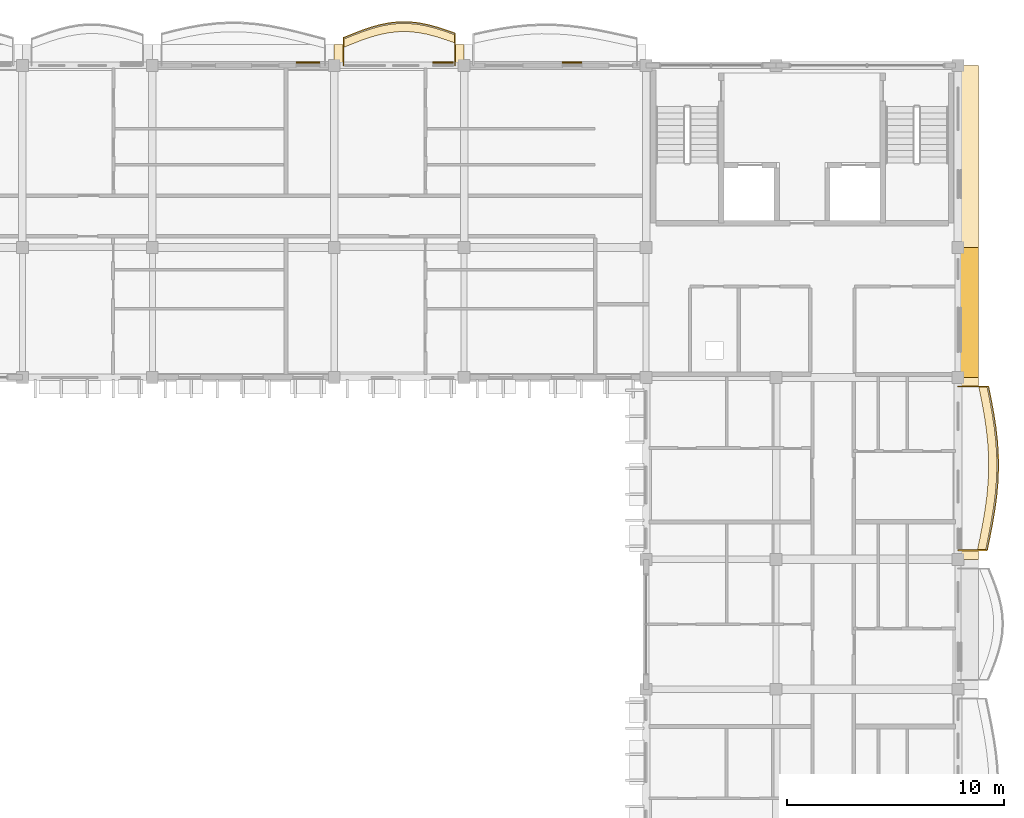
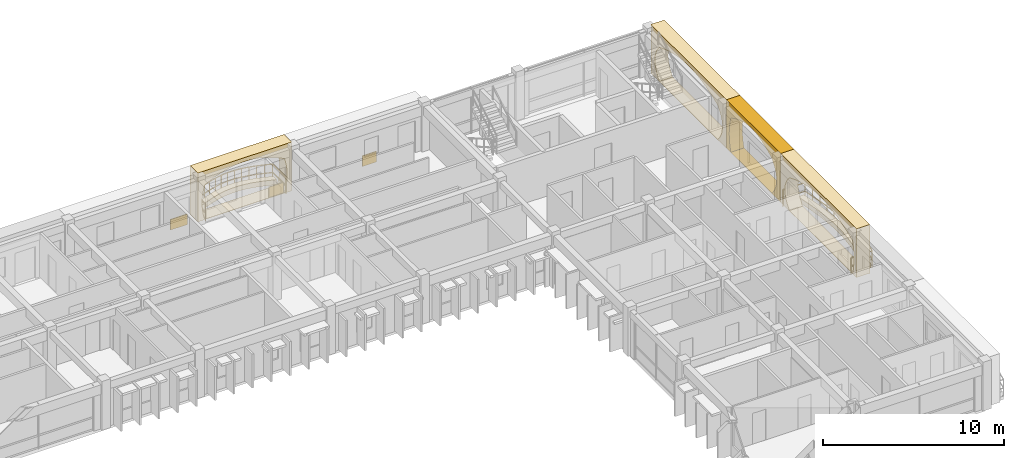
# One storey, part 30 of 31: 9 coverings, 2 railings.
"""IFC4 building model written with IfcOpenShell, lengths in metres."""

from ifc_helpers import new_model, si_unit, direction, frame, origin, origin_2d, place, context, subcontext, project, spatial, polyline, rectangle, outline, extrude, material, layer, layer_set, type_object, element, save


model = new_model("IFC4")

# Units and contexts
model_context = context("Model", 3, precision=1e-05, world=origin(), true_north=direction((0.0, 1.0)))
body_context = subcontext(model_context, "Body", "Model", "MODEL_VIEW")
ifc_project = project(units=[si_unit("LENGTHUNIT", "METRE"), si_unit("AREAUNIT", "SQUARE_METRE"), si_unit("VOLUMEUNIT", "CUBIC_METRE"), si_unit("PLANEANGLEUNIT", "RADIAN"), si_unit("MASSUNIT", "GRAM", prefix="KILO"), si_unit("THERMODYNAMICTEMPERATUREUNIT", "KELVIN")], contexts=[model_context])

# Site, building, storey
site_placement = place(None, origin())
site = spatial("IfcSite", under=ifc_project, at=site_placement, CompositionType="ELEMENT")
building_placement = place(site_placement, origin())
building = spatial("IfcBuilding", under=site, at=building_placement, Name="Thalorik Housing Commons", CompositionType="ELEMENT")
storey_placement = place(building_placement, frame((0.0, 0.0, 37.800048828125)))
storey = spatial("IfcBuildingStorey", under=building, at=storey_placement, Name="L11", CompositionType="ELEMENT", Elevation=37.800048828125)

# Coverings
ifc_material_1 = material(Name="Cobalt blue glazed ceramic facade tile panel", Category="masonry")
ifc_layer_1 = layer(ifc_material_1, 0.06005859375, Name="Cobalt blue glazed ceramic facade tile panel", Category="masonry")
ifc_layer_set_1 = layer_set([ifc_layer_1], Name="Cobalt blue glazed ceramic facade tile panel")
covering_type_1 = type_object("IfcCoveringType", Name="ARC-CLD-BLU-60", PredefinedType="CLADDING", material=ifc_layer_set_1)
covering_1_placement = place(storey_placement, frame((136.7900390625, 123.742431640625, 0.0498046875), z_axis=(0.0, 0.0, 1.0), x_axis=(-1.0, 0.0, 0.0)))
element("IfcCovering", 1, at=covering_1_placement, inside=storey, type_object=covering_type_1, Name="L11 De Stijl Recessed Window Spandrel 3175", PredefinedType="CLADDING", context=body_context, shape_type="SweptSolid", body=[
    extrude(rectangle(XDim=1.10009765625, YDim=0.06005859375, at=origin_2d()), origin(), (0.0, 0.0, 1.0), 0.699951171875),
])
ifc_material_2 = material(Name="Precast concrete C40/50", Category="concrete")
ifc_layer_2 = layer(ifc_material_2, 0.85009765625, Name="Precast concrete C40/50", Category="concrete")
ifc_layer_set_2 = layer_set([ifc_layer_2], Name="Precast concrete C40/50")
covering_type_2 = type_object("IfcCoveringType", Name="ARC-CLD-CUSH-850", PredefinedType="CLADDING", material=ifc_layer_set_2)
covering_2_placement = place(storey_placement, frame((167.33251953125, 112.199951171875, 0.0), z_axis=(0.0, 0.0, 1.0), x_axis=(0.0, 1.0, 0.0)))
element("IfcCovering", 2, at=covering_2_placement, inside=storey, type_object=covering_type_2, Name="L11 White Precast Curved Cushion Bay Frame 3166", PredefinedType="CLADDING", context=body_context, shape_type="SweptSolid", body=[
    extrude(outline(polyline([(-3.0, 0.0), (3.0, 0.0), (3.0, 3.300048828125), (-3.0, 3.300048828125), (-3.0, 0.0)]), holes=[polyline([(2.530029296875, 0.02490234375), (2.629150390625, 0.410888671875), (2.688720703125, 0.796630859375), (2.70849609375, 1.1826171875), (2.688720703125, 1.568359375), (2.629150390625, 1.9541015625), (2.530029296875, 2.340087890625), (2.149169921875, 2.552978515625), (1.768310546875, 2.720458984375), (1.387451171875, 2.85595703125), (1.006591796875, 2.956787109375), (0.625732421875, 3.01904296875), (0.2451171875, 3.0400390625), (-0.1357421875, 3.01904296875), (-0.5166015625, 2.956787109375), (-0.8974609375, 2.85595703125), (-1.2783203125, 2.720458984375), (-1.6591796875, 2.552978515625), (-2.0400390625, 2.340087890625), (-2.3232421875, 1.9541015625), (-2.493408203125, 1.568359375), (-2.550048828125, 1.1826171875), (-2.493408203125, 0.796630859375), (-2.3232421875, 0.410888671875), (-2.0400390625, 0.02490234375), (2.530029296875, 0.02490234375)])]), frame((0.0, 0.425048828125, 0.0), z_axis=(0.0, -1.0, 0.0), x_axis=(1.0, 0.0, 0.0)), (0.0, 0.0, 1.0), 0.85009765625),
])
covering_3_placement = place(storey_placement, frame((167.33251953125, 119.39990234375, 0.0), z_axis=(0.0, 0.0, 1.0), x_axis=(0.0, 1.0, 0.0)))
element("IfcCovering", 3, at=covering_3_placement, inside=storey, type_object=covering_type_2, Name="L11 White Precast Curved Cushion Bay Frame 3168", PredefinedType="CLADDING", context=body_context, shape_type="SweptSolid", body=[
    extrude(outline(polyline([(-4.199951171875, 0.0), (4.199951171875, 0.0), (4.199951171875, 3.300048828125), (-4.199951171875, 3.300048828125), (-4.199951171875, 0.0)]), holes=[polyline([(3.25390625, 0.02490234375), (3.529541015625, 0.407470703125), (3.69482421875, 0.7900390625), (3.75, 1.172607421875), (3.69482421875, 1.554931640625), (3.529541015625, 1.9375), (3.25390625, 2.320068359375), (2.712646484375, 2.539306640625), (2.17138671875, 2.711181640625), (1.63037109375, 2.8505859375), (1.089111328125, 2.954345703125), (0.548095703125, 3.018310546875), (0.0068359375, 3.0400390625), (-0.5341796875, 3.018310546875), (-1.075439453125, 2.954345703125), (-1.61669921875, 2.8505859375), (-2.15771484375, 2.711181640625), (-2.698974609375, 2.539306640625), (-3.239990234375, 2.320068359375), (-3.523193359375, 1.9375), (-3.693359375, 1.554931640625), (-3.75, 1.172607421875), (-3.693359375, 0.7900390625), (-3.523193359375, 0.407470703125), (-3.239990234375, 0.02490234375), (3.25390625, 0.02490234375)])]), frame((0.0, 0.425048828125, 0.0), z_axis=(0.0, -1.0, 0.0), x_axis=(1.0, 0.0, 0.0)), (0.0, 0.0, 1.0), 0.85009765625),
])
covering_4_placement = place(storey_placement, frame((141.0, 124.132568359375, 0.0), z_axis=(0.0, 0.0, 1.0), x_axis=(-1.0, 0.0, 0.0)))
element("IfcCovering", 4, at=covering_4_placement, inside=storey, type_object=covering_type_2, Name="L11 White Precast Curved Cushion Bay Frame 3172", PredefinedType="CLADDING", context=body_context, shape_type="SweptSolid", body=[
    extrude(outline(polyline([(-3.0, 0.0), (3.0, 0.0), (3.0, 3.300048828125), (-3.0, 3.300048828125), (-3.0, 0.0)]), holes=[polyline([(2.57275390625, 0.02490234375), (2.6630859375, 0.410888671875), (2.717041015625, 0.796630859375), (2.735107421875, 1.1826171875), (2.717041015625, 1.568359375), (2.6630859375, 1.9541015625), (2.57275390625, 2.340087890625), (2.146484375, 2.552978515625), (1.72021484375, 2.720458984375), (1.2939453125, 2.85595703125), (0.867919921875, 2.956787109375), (0.44140625, 3.01904296875), (0.015380859375, 3.0400390625), (-0.410888671875, 3.01904296875), (-0.837158203125, 2.956787109375), (-1.263427734375, 2.85595703125), (-1.689697265625, 2.720458984375), (-2.115966796875, 2.552978515625), (-2.542236328125, 2.340087890625), (-2.638916015625, 1.9541015625), (-2.69677734375, 1.568359375), (-2.71630859375, 1.1826171875), (-2.69677734375, 0.796630859375), (-2.638916015625, 0.410888671875), (-2.542236328125, 0.02490234375), (2.57275390625, 0.02490234375)])]), frame((0.0, 0.425048828125, 0.0), z_axis=(0.0, -1.0, 0.0), x_axis=(1.0, 0.0, 0.0)), (0.0, 0.0, 1.0), 0.85009765625),
])
covering_5_placement = place(storey_placement, frame((167.33251953125, 105.0, 0.0), z_axis=(0.0, 0.0, 1.0), x_axis=(0.0, 1.0, 0.0)))
element("IfcCovering", 5, at=covering_5_placement, inside=storey, type_object=covering_type_2, Name="L11 White Precast Curved Cushion Bay Frame 3264", PredefinedType="CLADDING", context=body_context, shape_type="SweptSolid", body=[
    extrude(outline(polyline([(-4.199951171875, 0.0), (4.199951171875, 0.0), (4.199951171875, 3.300048828125), (-4.199951171875, 3.300048828125), (-4.199951171875, 0.0)]), holes=[polyline([(3.239990234375, 0.02490234375), (3.523193359375, 0.394287109375), (3.693359375, 0.76318359375), (3.75, 1.132568359375), (3.693359375, 1.501708984375), (3.523193359375, 1.870849609375), (3.239990234375, 2.239990234375), (2.65625, 2.4833984375), (2.072509765625, 2.6748046875), (1.48876953125, 2.82958984375), (0.905029296875, 2.94482421875), (0.3212890625, 3.01611328125), (-0.262451171875, 3.0400390625), (-0.84619140625, 3.01611328125), (-1.429931640625, 2.94482421875), (-2.013671875, 2.82958984375), (-2.597412109375, 2.6748046875), (-3.181396484375, 2.4833984375), (-3.764892578125, 2.239990234375), (-3.856689453125, 1.870849609375), (-3.911865234375, 1.501708984375), (-3.930419921875, 1.132568359375), (-3.911865234375, 0.76318359375), (-3.856689453125, 0.394287109375), (-3.764892578125, 0.02490234375), (3.239990234375, 0.02490234375)])]), frame((0.0, 0.425048828125, 0.0), z_axis=(0.0, -1.0, 0.0), x_axis=(1.0, 0.0, 0.0)), (0.0, 0.0, 1.0), 0.85009765625),
])
ifc_material_3 = material(Name="Terracotta red mineral fibre-cement panel", Category="masonry")
ifc_layer_3 = layer(ifc_material_3, 0.054931640625, Name="Terracotta red mineral fibre-cement panel", Category="masonry")
ifc_layer_set_3 = layer_set([ifc_layer_3], Name="Terracotta red mineral fibre-cement panel")
covering_type_3 = type_object("IfcCoveringType", Name="ARC-CLD-RED-55", PredefinedType="CLADDING", material=ifc_layer_set_3)
covering_6_placement = place(storey_placement, frame((143.01708984375, 123.739990234375, 0.0498046875), z_axis=(0.0, 0.0, 1.0), x_axis=(-1.0, 0.0, 0.0)))
element("IfcCovering", 6, at=covering_6_placement, inside=storey, type_object=covering_type_3, Name="L11 De Stijl Recessed Window Spandrel 3173", PredefinedType="CLADDING", context=body_context, shape_type="SweptSolid", body=[
    extrude(rectangle(XDim=0.949951171875, YDim=0.054931640625, at=origin_2d()), origin(), (0.0, 0.0, 1.0), 0.699951171875),
])
ifc_material_4 = material(Name="Mineral ochre architectural terracotta panel", Category="masonry")
ifc_layer_4 = layer(ifc_material_4, 0.06494140625, Name="Mineral ochre architectural terracotta panel", Category="masonry")
ifc_layer_set_4 = layer_set([ifc_layer_4], Name="Mineral ochre architectural terracotta panel")
covering_type_4 = type_object("IfcCoveringType", Name="ARC-CLD-YEL-65", PredefinedType="CLADDING", material=ifc_layer_set_4)
covering_7_placement = place(storey_placement, frame((148.985107421875, 123.7451171875, 0.0498046875), z_axis=(0.0, 0.0, 1.0), x_axis=(-1.0, 0.0, 0.0)))
element("IfcCovering", 7, at=covering_7_placement, inside=storey, type_object=covering_type_4, Name="L11 De Stijl Recessed Window Spandrel 3171", PredefinedType="CLADDING", context=body_context, shape_type="SweptSolid", body=[
    extrude(rectangle(XDim=0.89990234375, YDim=0.06494140625, at=origin_2d()), origin(), (0.0, 0.0, 1.0), 0.699951171875),
])
ifc_material_5 = material(Name="Planted vegetated substrate and terracotta trough", Category="masonry")
ifc_layer_5 = layer(ifc_material_5, 0.340087890625, Name="Planted vegetated substrate and terracotta trough", Category="masonry")
ifc_layer_set_5 = layer_set([ifc_layer_5], Name="Planted vegetated substrate and terracotta trough")
covering_type_5 = type_object("IfcCoveringType", Name="ARC-COV-PLANTER", PredefinedType="USERDEFINED", material=ifc_layer_set_5)
covering_8_placement = place(storey_placement, origin())
element("IfcCovering", 8, at=covering_8_placement, inside=storey, type_object=covering_type_5, Name="L11 Balcony Slab-Edge Planted Trough 5553", ObjectType="PLANTER", PredefinedType="USERDEFINED", context=body_context, shape_type="SweptSolid", body=[
    extrude(outline(polyline([(143.580078125, 125.01611328125), (143.14990234375, 125.168212890625), (142.719970703125, 125.305908203125), (142.2900390625, 125.419189453125), (141.860107421875, 125.499755859375), (141.429931640625, 125.541748046875), (141.0, 125.541748046875), (140.570068359375, 125.4990234375), (140.139892578125, 125.41552734375), (139.7099609375, 125.29638671875), (139.280029296875, 125.149169921875), (138.85009765625, 124.98291015625), (138.419921875, 124.80859375), (138.419921875, 124.428466796875), (138.85009765625, 124.602783203125), (139.280029296875, 124.76904296875), (139.7099609375, 124.91650390625), (140.139892578125, 125.035400390625), (140.570068359375, 125.118896484375), (141.0, 125.161865234375), (141.429931640625, 125.161865234375), (141.860107421875, 125.119873046875), (142.2900390625, 125.0390625), (142.719970703125, 124.92578125), (143.14990234375, 124.788330078125), (143.580078125, 124.635986328125), (143.580078125, 125.01611328125)])), origin(), (0.0, 0.0, 1.0), 0.33984375),
])
covering_9_placement = place(storey_placement, origin())
element("IfcCovering", 9, at=covering_9_placement, inside=storey, type_object=covering_type_5, Name="L11 Balcony Slab-Edge Planted Trough 5557", ObjectType="PLANTER", PredefinedType="USERDEFINED", context=body_context, shape_type="SweptSolid", body=[
    extrude(outline(polyline([(168.077392578125, 101.219970703125), (168.204833984375, 101.85009765625), (168.325439453125, 102.47998046875), (168.43115234375, 103.110107421875), (168.514892578125, 103.739990234375), (168.5712890625, 104.3701171875), (168.59619140625, 105.0), (168.587890625, 105.6298828125), (168.547119140625, 106.260009765625), (168.476318359375, 106.889892578125), (168.38037109375, 107.52001953125), (168.26513671875, 108.14990234375), (168.138671875, 108.780029296875), (167.7587890625, 108.780029296875), (167.88525390625, 108.14990234375), (168.000244140625, 107.52001953125), (168.09619140625, 106.889892578125), (168.1669921875, 106.260009765625), (168.2080078125, 105.6298828125), (168.216064453125, 105.0), (168.191162109375, 104.3701171875), (168.135009765625, 103.739990234375), (168.051025390625, 103.110107421875), (167.9453125, 102.47998046875), (167.82470703125, 101.85009765625), (167.697265625, 101.219970703125), (168.077392578125, 101.219970703125)])), origin(), (0.0, 0.0, 1.0), 0.33984375),
])

# Railings
ifc_material_6 = material(Name="Steel S355", Category="steel")
railing_type = type_object("IfcRailingType", Name="ARC-RL-BAL-115", PredefinedType="BALUSTRADE", material=ifc_material_6)
railing_1_placement = place(storey_placement, frame((143.580078125, 123.60009765625, 0.0)))
element("IfcRailing", 10, at=railing_1_placement, inside=storey, type_object=railing_type, Name="L11 Cushion Balcony Guardrail 237", PredefinedType="BALUSTRADE", context=body_context, shape_type="SweptSolid", body=[
    extrude(rectangle(XDim=0.050048828125, YDim=0.050048828125, at=origin_2d()), frame((0.0, 0.0, 1.125), z_axis=(0.0, 1.0, 0.0), x_axis=(-1.0, 0.0, 0.0)), (0.0, 0.0, 1.0), 1.48583984375),
    extrude(rectangle(XDim=0.050048828125, YDim=0.050048828125, at=origin_2d()), frame((0.0, 0.0, 0.5498046875), z_axis=(0.0, 1.0, 0.0), x_axis=(-1.0, 0.0, 0.0)), (0.0, 0.0, 1.0), 1.48583984375),
    extrude(rectangle(XDim=0.050048828125, YDim=0.050048828125, at=origin_2d()), frame((0.0, 1.48583984375, 1.125), z_axis=(-0.942634239727, 0.333827335749, 0.0), x_axis=(-0.333827335749, -0.942634239727, 0.0)), (0.0, 0.0, 1.0), 0.456298828125),
    extrude(rectangle(XDim=0.050048828125, YDim=0.050048828125, at=origin_2d()), frame((0.0, 1.48583984375, 0.5498046875), z_axis=(-0.942634239727, 0.333827335749, 0.0), x_axis=(-0.333827335749, -0.942634239727, 0.0)), (0.0, 0.0, 1.0), 0.456298828125),
    extrude(rectangle(XDim=0.050048828125, YDim=0.050048828125, at=origin_2d()), frame((-0.43017578125, 1.63818359375, 1.125), z_axis=(-0.95234876715, 0.305011189479, 0.0), x_axis=(-0.305011189479, -0.95234876715, 0.0)), (0.0, 0.0, 1.0), 0.451416015625),
    extrude(rectangle(XDim=0.050048828125, YDim=0.050048828125, at=origin_2d()), frame((-0.43017578125, 1.63818359375, 0.5498046875), z_axis=(-0.95234876715, 0.305011189479, 0.0), x_axis=(-0.305011189479, -0.95234876715, 0.0)), (0.0, 0.0, 1.0), 0.451416015625),
    extrude(rectangle(XDim=0.050048828125, YDim=0.050048828125, at=origin_2d()), frame((-0.860107421875, 1.77587890625, 1.125), z_axis=(-0.967131424423, 0.254277029817, 0.0), x_axis=(-0.254277029817, -0.967131424423, 0.0)), (0.0, 0.0, 1.0), 0.444580078125),
    extrude(rectangle(XDim=0.050048828125, YDim=0.050048828125, at=origin_2d()), frame((-0.860107421875, 1.77587890625, 0.5498046875), z_axis=(-0.967131424423, 0.254277029817, 0.0), x_axis=(-0.254277029817, -0.967131424423, 0.0)), (0.0, 0.0, 1.0), 0.444580078125),
    extrude(rectangle(XDim=0.050048828125, YDim=0.050048828125, at=origin_2d()), frame((-1.2900390625, 1.888916015625, 1.125), z_axis=(-0.982789955867, 0.184726561835, 0.0), x_axis=(-0.184726561835, -0.982789955867, 0.0)), (0.0, 0.0, 1.0), 0.4375),
    extrude(rectangle(XDim=0.050048828125, YDim=0.050048828125, at=origin_2d()), frame((-1.2900390625, 1.888916015625, 0.5498046875), z_axis=(-0.982789955867, 0.184726561835, 0.0), x_axis=(-0.184726561835, -0.982789955867, 0.0)), (0.0, 0.0, 1.0), 0.4375),
    extrude(rectangle(XDim=0.050048828125, YDim=0.050048828125, at=origin_2d()), frame((-1.719970703125, 1.9697265625, 1.125), z_axis=(-0.995269306776, 0.09715455208, 0.0), x_axis=(-0.09715455208, -0.995269306776, 0.0)), (0.0, 0.0, 1.0), 0.43212890625),
    extrude(rectangle(XDim=0.050048828125, YDim=0.050048828125, at=origin_2d()), frame((-1.719970703125, 1.9697265625, 0.5498046875), z_axis=(-0.995269306776, 0.09715455208, 0.0), x_axis=(-0.09715455208, -0.995269306776, 0.0)), (0.0, 0.0, 1.0), 0.43212890625),
    extrude(rectangle(XDim=0.050048828125, YDim=0.050048828125, at=origin_2d()), frame((-2.150146484375, 2.01171875, 1.125), z_axis=(-1.0, 0.0, 0.0), x_axis=(0.0, -1.0, 0.0)), (0.0, 0.0, 1.0), 0.429931640625),
    extrude(rectangle(XDim=0.050048828125, YDim=0.050048828125, at=origin_2d()), frame((-2.150146484375, 2.01171875, 0.5498046875), z_axis=(-1.0, 0.0, 0.0), x_axis=(0.0, -1.0, 0.0)), (0.0, 0.0, 1.0), 0.429931640625),
    extrude(rectangle(XDim=0.050048828125, YDim=0.050048828125, at=origin_2d()), frame((-2.580078125, 2.01171875, 1.125), z_axis=(-0.995098542801, -0.098888270863, 0.0), x_axis=(0.098888270863, -0.995098542801, 0.0)), (0.0, 0.0, 1.0), 0.43212890625),
    extrude(rectangle(XDim=0.050048828125, YDim=0.050048828125, at=origin_2d()), frame((-2.580078125, 2.01171875, 0.5498046875), z_axis=(-0.995098542801, -0.098888270863, 0.0), x_axis=(0.098888270863, -0.995098542801, 0.0)), (0.0, 0.0, 1.0), 0.43212890625),
    extrude(rectangle(XDim=0.050048828125, YDim=0.050048828125, at=origin_2d()), frame((-3.010009765625, 1.968994140625, 1.125), z_axis=(-0.981679126239, -0.190541578419, 0.0), x_axis=(0.190541578419, -0.981679126239, 0.0)), (0.0, 0.0, 1.0), 0.438232421875),
    extrude(rectangle(XDim=0.050048828125, YDim=0.050048828125, at=origin_2d()), frame((-3.010009765625, 1.968994140625, 0.5498046875), z_axis=(-0.981679126239, -0.190541578419, 0.0), x_axis=(0.190541578419, -0.981679126239, 0.0)), (0.0, 0.0, 1.0), 0.438232421875),
    extrude(rectangle(XDim=0.050048828125, YDim=0.050048828125, at=origin_2d()), frame((-3.440185546875, 1.885498046875, 1.125), z_axis=(-0.963682368492, -0.267051104954, 0.0), x_axis=(0.267051104954, -0.963682368492, 0.0)), (0.0, 0.0, 1.0), 0.446044921875),
    extrude(rectangle(XDim=0.050048828125, YDim=0.050048828125, at=origin_2d()), frame((-3.440185546875, 1.885498046875, 0.5498046875), z_axis=(-0.963682368492, -0.267051104954, 0.0), x_axis=(0.267051104954, -0.963682368492, 0.0)), (0.0, 0.0, 1.0), 0.446044921875),
    extrude(rectangle(XDim=0.050048828125, YDim=0.050048828125, at=origin_2d()), frame((-3.8701171875, 1.766357421875, 1.125), z_axis=(-0.945908272877, -0.324434183315, 0.0), x_axis=(0.324434183315, -0.945908272877, 0.0)), (0.0, 0.0, 1.0), 0.45458984375),
    extrude(rectangle(XDim=0.050048828125, YDim=0.050048828125, at=origin_2d()), frame((-3.8701171875, 1.766357421875, 0.5498046875), z_axis=(-0.945908272877, -0.324434183315, 0.0), x_axis=(0.324434183315, -0.945908272877, 0.0)), (0.0, 0.0, 1.0), 0.45458984375),
    extrude(rectangle(XDim=0.050048828125, YDim=0.050048828125, at=origin_2d()), frame((-4.300048828125, 1.618896484375, 1.125), z_axis=(-0.9328669237, -0.360221185756, 0.0), x_axis=(0.360221185756, -0.9328669237, 0.0)), (0.0, 0.0, 1.0), 0.4609375),
    extrude(rectangle(XDim=0.050048828125, YDim=0.050048828125, at=origin_2d()), frame((-4.300048828125, 1.618896484375, 0.5498046875), z_axis=(-0.9328669237, -0.360221185756, 0.0), x_axis=(0.360221185756, -0.9328669237, 0.0)), (0.0, 0.0, 1.0), 0.4609375),
    extrude(rectangle(XDim=0.050048828125, YDim=0.050048828125, at=origin_2d()), frame((-4.72998046875, 1.452880859375, 1.125), z_axis=(-0.926615498918, -0.376010262047, 0.0), x_axis=(0.376010262047, -0.926615498918, 0.0)), (0.0, 0.0, 1.0), 0.46435546875),
    extrude(rectangle(XDim=0.050048828125, YDim=0.050048828125, at=origin_2d()), frame((-4.72998046875, 1.452880859375, 0.5498046875), z_axis=(-0.926615498918, -0.376010262047, 0.0), x_axis=(0.376010262047, -0.926615498918, 0.0)), (0.0, 0.0, 1.0), 0.46435546875),
    extrude(rectangle(XDim=0.050048828125, YDim=0.050048828125, at=origin_2d()), frame((-5.16015625, 1.2783203125, 1.125), z_axis=(0.0, -1.0, 0.0), x_axis=(1.0, 0.0, 0.0)), (0.0, 0.0, 1.0), 1.2783203125),
    extrude(rectangle(XDim=0.050048828125, YDim=0.050048828125, at=origin_2d()), frame((-5.16015625, 1.2783203125, 0.5498046875), z_axis=(0.0, -1.0, 0.0), x_axis=(1.0, 0.0, 0.0)), (0.0, 0.0, 1.0), 1.2783203125),
    extrude(rectangle(XDim=0.0419921875, YDim=0.0419921875, at=origin_2d()), origin(), (0.0, 0.0, 1.0), 1.099853515625),
    extrude(rectangle(XDim=0.0419921875, YDim=0.0419921875, at=origin_2d()), frame((0.0, 1.48583984375, 0.0)), (0.0, 0.0, 1.0), 1.099853515625),
    extrude(rectangle(XDim=0.0419921875, YDim=0.0419921875, at=origin_2d()), frame((-0.43017578125, 1.63818359375, 0.0)), (0.0, 0.0, 1.0), 1.099853515625),
    extrude(rectangle(XDim=0.0419921875, YDim=0.0419921875, at=origin_2d()), frame((-0.860107421875, 1.77587890625, 0.0)), (0.0, 0.0, 1.0), 1.099853515625),
    extrude(rectangle(XDim=0.0419921875, YDim=0.0419921875, at=origin_2d()), frame((-1.2900390625, 1.888916015625, 0.0)), (0.0, 0.0, 1.0), 1.099853515625),
    extrude(rectangle(XDim=0.0419921875, YDim=0.0419921875, at=origin_2d()), frame((-1.719970703125, 1.9697265625, 0.0)), (0.0, 0.0, 1.0), 1.099853515625),
    extrude(rectangle(XDim=0.0419921875, YDim=0.0419921875, at=origin_2d()), frame((-2.150146484375, 2.01171875, 0.0)), (0.0, 0.0, 1.0), 1.099853515625),
    extrude(rectangle(XDim=0.0419921875, YDim=0.0419921875, at=origin_2d()), frame((-2.580078125, 2.01171875, 0.0)), (0.0, 0.0, 1.0), 1.099853515625),
    extrude(rectangle(XDim=0.0419921875, YDim=0.0419921875, at=origin_2d()), frame((-3.010009765625, 1.968994140625, 0.0)), (0.0, 0.0, 1.0), 1.099853515625),
    extrude(rectangle(XDim=0.0419921875, YDim=0.0419921875, at=origin_2d()), frame((-3.440185546875, 1.885498046875, 0.0)), (0.0, 0.0, 1.0), 1.099853515625),
    extrude(rectangle(XDim=0.0419921875, YDim=0.0419921875, at=origin_2d()), frame((-3.8701171875, 1.766357421875, 0.0)), (0.0, 0.0, 1.0), 1.099853515625),
    extrude(rectangle(XDim=0.0419921875, YDim=0.0419921875, at=origin_2d()), frame((-4.300048828125, 1.618896484375, 0.0)), (0.0, 0.0, 1.0), 1.099853515625),
    extrude(rectangle(XDim=0.0419921875, YDim=0.0419921875, at=origin_2d()), frame((-4.72998046875, 1.452880859375, 0.0)), (0.0, 0.0, 1.0), 1.099853515625),
    extrude(rectangle(XDim=0.0419921875, YDim=0.0419921875, at=origin_2d()), frame((-5.16015625, 1.2783203125, 0.0)), (0.0, 0.0, 1.0), 1.099853515625),
    extrude(rectangle(XDim=0.0419921875, YDim=0.0419921875, at=origin_2d()), frame((-5.16015625, 0.0, 0.0)), (0.0, 0.0, 1.0), 1.099853515625),
])
railing_2_placement = place(storey_placement, frame((166.800048828125, 101.219970703125, 0.0)))
element("IfcRailing", 11, at=railing_2_placement, inside=storey, type_object=railing_type, Name="L11 Cushion Balcony Guardrail 241", PredefinedType="BALUSTRADE", context=body_context, shape_type="SweptSolid", body=[
    extrude(rectangle(XDim=0.050048828125, YDim=0.050048828125, at=origin_2d()), frame((0.0, 0.0, 1.125), z_axis=(1.0, 0.0, 0.0), x_axis=(0.0, 1.0, 0.0)), (0.0, 0.0, 1.0), 1.34716796875),
    extrude(rectangle(XDim=0.050048828125, YDim=0.050048828125, at=origin_2d()), frame((0.0, 0.0, 0.5498046875), z_axis=(1.0, 0.0, 0.0), x_axis=(0.0, 1.0, 0.0)), (0.0, 0.0, 1.0), 1.34716796875),
    extrude(rectangle(XDim=0.050048828125, YDim=0.050048828125, at=origin_2d()), frame((1.34716796875, 0.0, 1.125), z_axis=(0.198598350989, 0.980080963484, 0.0), x_axis=(-0.980080963484, 0.198598350989, 0.0)), (0.0, 0.0, 1.0), 0.642822265625),
    extrude(rectangle(XDim=0.050048828125, YDim=0.050048828125, at=origin_2d()), frame((1.34716796875, 0.0, 0.5498046875), z_axis=(0.198598350989, 0.980080963484, 0.0), x_axis=(-0.980080963484, 0.198598350989, 0.0)), (0.0, 0.0, 1.0), 0.642822265625),
    extrude(rectangle(XDim=0.050048828125, YDim=0.050048828125, at=origin_2d()), frame((1.474853515625, 0.630126953125, 1.125), z_axis=(0.188056644538, 0.982158184024, 0.0), x_axis=(-0.982158184024, 0.188056644538, 0.0)), (0.0, 0.0, 1.0), 0.641357421875),
    extrude(rectangle(XDim=0.050048828125, YDim=0.050048828125, at=origin_2d()), frame((1.474853515625, 0.630126953125, 0.5498046875), z_axis=(0.188056644538, 0.982158184024, 0.0), x_axis=(-0.982158184024, 0.188056644538, 0.0)), (0.0, 0.0, 1.0), 0.641357421875),
    extrude(rectangle(XDim=0.050048828125, YDim=0.050048828125, at=origin_2d()), frame((1.595458984375, 1.260009765625, 1.125), z_axis=(0.165452269224, 0.986217798769, 0.0), x_axis=(-0.986217798769, 0.165452269224, 0.0)), (0.0, 0.0, 1.0), 0.638916015625),
    extrude(rectangle(XDim=0.050048828125, YDim=0.050048828125, at=origin_2d()), frame((1.595458984375, 1.260009765625, 0.5498046875), z_axis=(0.165452269224, 0.986217798769, 0.0), x_axis=(-0.986217798769, 0.165452269224, 0.0)), (0.0, 0.0, 1.0), 0.638916015625),
    extrude(rectangle(XDim=0.050048828125, YDim=0.050048828125, at=origin_2d()), frame((1.701171875, 1.89013671875, 1.125), z_axis=(0.131786205367, 0.991278162816, 0.0), x_axis=(-0.991278162816, 0.131786205367, 0.0)), (0.0, 0.0, 1.0), 0.635498046875),
    extrude(rectangle(XDim=0.050048828125, YDim=0.050048828125, at=origin_2d()), frame((1.701171875, 1.89013671875, 0.5498046875), z_axis=(0.131786205367, 0.991278162816, 0.0), x_axis=(-0.991278162816, 0.131786205367, 0.0)), (0.0, 0.0, 1.0), 0.635498046875),
    extrude(rectangle(XDim=0.050048828125, YDim=0.050048828125, at=origin_2d()), frame((1.784912109375, 2.52001953125, 1.125), z_axis=(0.088761014667, 0.996052951542, 0.0), x_axis=(-0.996052951542, 0.088761014667, 0.0)), (0.0, 0.0, 1.0), 0.632568359375),
    extrude(rectangle(XDim=0.050048828125, YDim=0.050048828125, at=origin_2d()), frame((1.784912109375, 2.52001953125, 0.5498046875), z_axis=(0.088761014667, 0.996052951542, 0.0), x_axis=(-0.996052951542, 0.088761014667, 0.0)), (0.0, 0.0, 1.0), 0.632568359375),
    extrude(rectangle(XDim=0.050048828125, YDim=0.050048828125, at=origin_2d()), frame((1.841064453125, 3.150146484375, 1.125), z_axis=(0.039504023242, 0.999219411415, 0.0), x_axis=(-0.999219411415, 0.039504023242, 0.0)), (0.0, 0.0, 1.0), 0.63037109375),
    extrude(rectangle(XDim=0.050048828125, YDim=0.050048828125, at=origin_2d()), frame((1.841064453125, 3.150146484375, 0.5498046875), z_axis=(0.039504023242, 0.999219411415, 0.0), x_axis=(-0.999219411415, 0.039504023242, 0.0)), (0.0, 0.0, 1.0), 0.63037109375),
    extrude(rectangle(XDim=0.050048828125, YDim=0.050048828125, at=origin_2d()), frame((1.865966796875, 3.780029296875, 1.125), z_axis=(-0.012789651511, 0.999918209062, 0.0), x_axis=(-0.999918209062, -0.012789651511, 0.0)), (0.0, 0.0, 1.0), 0.6298828125),
    extrude(rectangle(XDim=0.050048828125, YDim=0.050048828125, at=origin_2d()), frame((1.865966796875, 3.780029296875, 0.5498046875), z_axis=(-0.012789651511, 0.999918209062, 0.0), x_axis=(-0.999918209062, -0.012789651511, 0.0)), (0.0, 0.0, 1.0), 0.6298828125),
    extrude(rectangle(XDim=0.050048828125, YDim=0.050048828125, at=origin_2d()), frame((1.85791015625, 4.409912109375, 1.125), z_axis=(-0.064568584417, 0.997913271736, 0.0), x_axis=(-0.997913271736, -0.064568584417, 0.0)), (0.0, 0.0, 1.0), 0.63134765625),
    extrude(rectangle(XDim=0.050048828125, YDim=0.050048828125, at=origin_2d()), frame((1.85791015625, 4.409912109375, 0.5498046875), z_axis=(-0.064568584417, 0.997913271736, 0.0), x_axis=(-0.997913271736, -0.064568584417, 0.0)), (0.0, 0.0, 1.0), 0.63134765625),
    extrude(rectangle(XDim=0.050048828125, YDim=0.050048828125, at=origin_2d()), frame((1.817138671875, 5.0400390625, 1.125), z_axis=(-0.1116996832, 0.993742009162, 0.0), x_axis=(-0.993742009162, -0.1116996832, 0.0)), (0.0, 0.0, 1.0), 0.6337890625),
    extrude(rectangle(XDim=0.050048828125, YDim=0.050048828125, at=origin_2d()), frame((1.817138671875, 5.0400390625, 0.5498046875), z_axis=(-0.1116996832, 0.993742009162, 0.0), x_axis=(-0.993742009162, -0.1116996832, 0.0)), (0.0, 0.0, 1.0), 0.6337890625),
    extrude(rectangle(XDim=0.050048828125, YDim=0.050048828125, at=origin_2d()), frame((1.746337890625, 5.669921875, 1.125), z_axis=(-0.150905837951, 0.988548141505, 0.0), x_axis=(-0.988548141505, -0.150905837951, 0.0)), (0.0, 0.0, 1.0), 0.637451171875),
    extrude(rectangle(XDim=0.050048828125, YDim=0.050048828125, at=origin_2d()), frame((1.746337890625, 5.669921875, 0.5498046875), z_axis=(-0.150905837951, 0.988548141505, 0.0), x_axis=(-0.988548141505, -0.150905837951, 0.0)), (0.0, 0.0, 1.0), 0.637451171875),
    extrude(rectangle(XDim=0.050048828125, YDim=0.050048828125, at=origin_2d()), frame((1.650146484375, 6.300048828125, 1.125), z_axis=(-0.1795900258, 0.983741542598, 0.0), x_axis=(-0.983741542598, -0.1795900258, 0.0)), (0.0, 0.0, 1.0), 0.640380859375),
    extrude(rectangle(XDim=0.050048828125, YDim=0.050048828125, at=origin_2d()), frame((1.650146484375, 6.300048828125, 0.5498046875), z_axis=(-0.1795900258, 0.983741542598, 0.0), x_axis=(-0.983741542598, -0.1795900258, 0.0)), (0.0, 0.0, 1.0), 0.640380859375),
    extrude(rectangle(XDim=0.050048828125, YDim=0.050048828125, at=origin_2d()), frame((1.53515625, 6.929931640625, 1.125), z_axis=(-0.196773561375, 0.980448961213, 0.0), x_axis=(-0.980448961213, -0.196773561375, 0.0)), (0.0, 0.0, 1.0), 0.642578125),
    extrude(rectangle(XDim=0.050048828125, YDim=0.050048828125, at=origin_2d()), frame((1.53515625, 6.929931640625, 0.5498046875), z_axis=(-0.196773561375, 0.980448961213, 0.0), x_axis=(-0.980448961213, -0.196773561375, 0.0)), (0.0, 0.0, 1.0), 0.642578125),
    extrude(rectangle(XDim=0.050048828125, YDim=0.050048828125, at=origin_2d()), frame((1.40869140625, 7.56005859375, 1.125), z_axis=(-1.0, 0.0, 0.0), x_axis=(0.0, -1.0, 0.0)), (0.0, 0.0, 1.0), 1.40869140625),
    extrude(rectangle(XDim=0.050048828125, YDim=0.050048828125, at=origin_2d()), frame((1.40869140625, 7.56005859375, 0.5498046875), z_axis=(-1.0, 0.0, 0.0), x_axis=(0.0, -1.0, 0.0)), (0.0, 0.0, 1.0), 1.40869140625),
    extrude(rectangle(XDim=0.0419921875, YDim=0.0419921875, at=origin_2d()), origin(), (0.0, 0.0, 1.0), 1.099853515625),
    extrude(rectangle(XDim=0.0419921875, YDim=0.0419921875, at=origin_2d()), frame((1.34716796875, 0.0, 0.0)), (0.0, 0.0, 1.0), 1.099853515625),
    extrude(rectangle(XDim=0.0419921875, YDim=0.0419921875, at=origin_2d()), frame((1.474853515625, 0.630126953125, 0.0)), (0.0, 0.0, 1.0), 1.099853515625),
    extrude(rectangle(XDim=0.0419921875, YDim=0.0419921875, at=origin_2d()), frame((1.595458984375, 1.260009765625, 0.0)), (0.0, 0.0, 1.0), 1.099853515625),
    extrude(rectangle(XDim=0.0419921875, YDim=0.0419921875, at=origin_2d()), frame((1.701171875, 1.89013671875, 0.0)), (0.0, 0.0, 1.0), 1.099853515625),
    extrude(rectangle(XDim=0.0419921875, YDim=0.0419921875, at=origin_2d()), frame((1.784912109375, 2.52001953125, 0.0)), (0.0, 0.0, 1.0), 1.099853515625),
    extrude(rectangle(XDim=0.0419921875, YDim=0.0419921875, at=origin_2d()), frame((1.841064453125, 3.150146484375, 0.0)), (0.0, 0.0, 1.0), 1.099853515625),
    extrude(rectangle(XDim=0.0419921875, YDim=0.0419921875, at=origin_2d()), frame((1.865966796875, 3.780029296875, 0.0)), (0.0, 0.0, 1.0), 1.099853515625),
    extrude(rectangle(XDim=0.0419921875, YDim=0.0419921875, at=origin_2d()), frame((1.85791015625, 4.409912109375, 0.0)), (0.0, 0.0, 1.0), 1.099853515625),
    extrude(rectangle(XDim=0.0419921875, YDim=0.0419921875, at=origin_2d()), frame((1.817138671875, 5.0400390625, 0.0)), (0.0, 0.0, 1.0), 1.099853515625),
    extrude(rectangle(XDim=0.0419921875, YDim=0.0419921875, at=origin_2d()), frame((1.746337890625, 5.669921875, 0.0)), (0.0, 0.0, 1.0), 1.099853515625),
    extrude(rectangle(XDim=0.0419921875, YDim=0.0419921875, at=origin_2d()), frame((1.650146484375, 6.300048828125, 0.0)), (0.0, 0.0, 1.0), 1.099853515625),
    extrude(rectangle(XDim=0.0419921875, YDim=0.0419921875, at=origin_2d()), frame((1.53515625, 6.929931640625, 0.0)), (0.0, 0.0, 1.0), 1.099853515625),
    extrude(rectangle(XDim=0.0419921875, YDim=0.0419921875, at=origin_2d()), frame((1.40869140625, 7.56005859375, 0.0)), (0.0, 0.0, 1.0), 1.099853515625),
    extrude(rectangle(XDim=0.0419921875, YDim=0.0419921875, at=origin_2d()), frame((0.0, 7.56005859375, 0.0)), (0.0, 0.0, 1.0), 1.099853515625),
])

save(model, "model.ifc")
